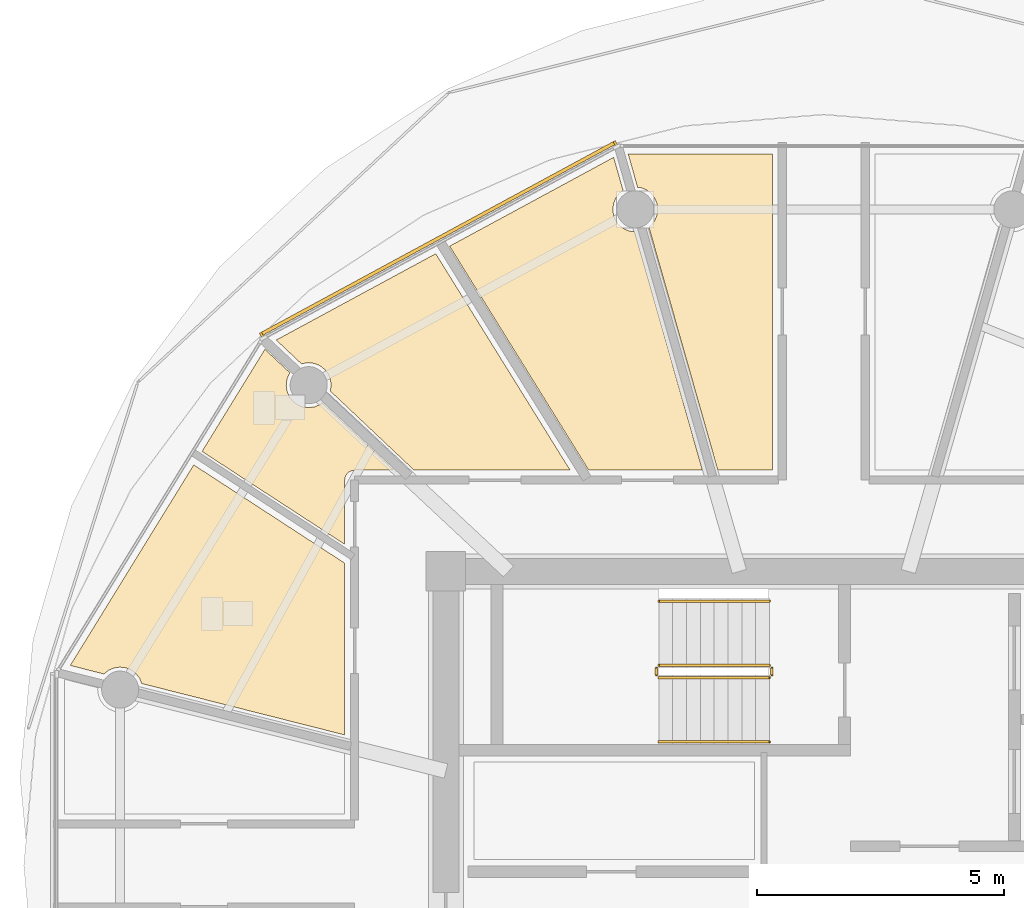
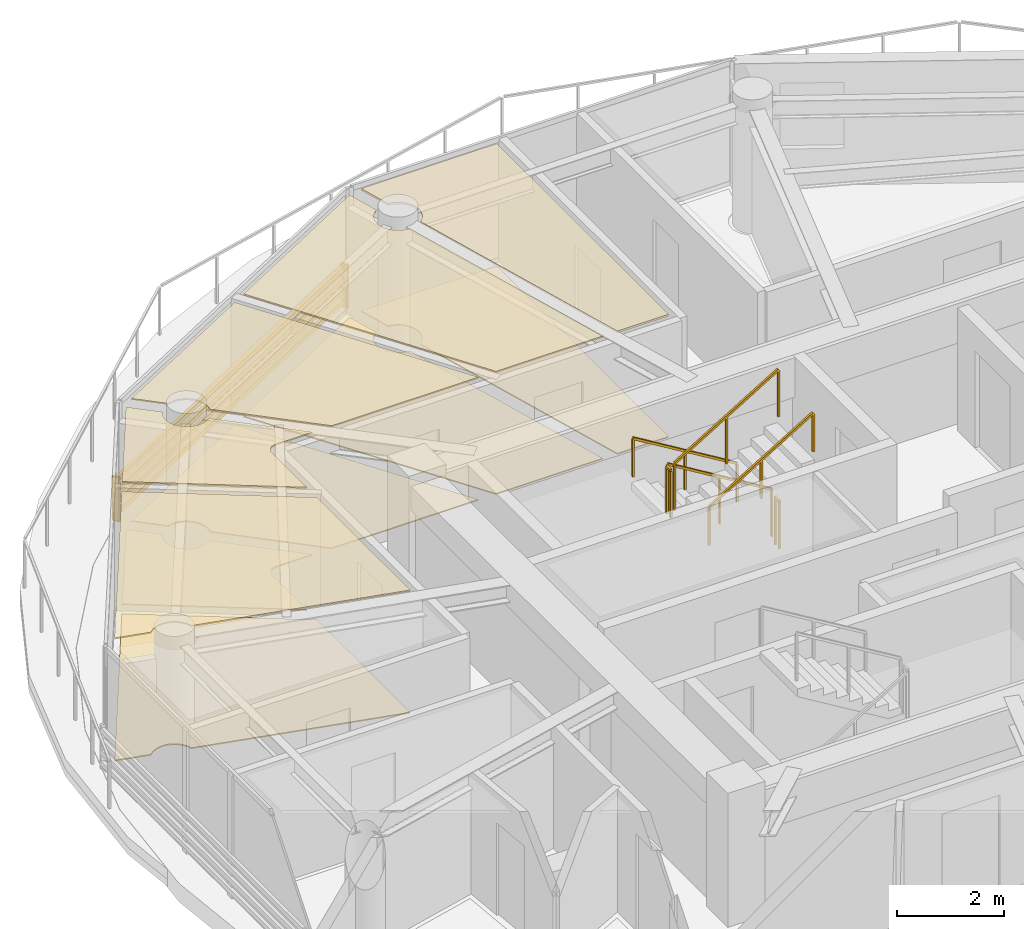
# One storey, part 19 of 28: 10 coverings, 6 railings, 1 shading device.
"""IFC4 building model written with IfcOpenShell, lengths in metres."""

import ifcopenshell
import ifcopenshell.guid

model = None  # the IFC model being written
_history = None  # IfcOwnerHistory: only IFC2X3 demands one
_inside = {}  # id of a spatial element -> (the spatial element, [elements in it])
_under = {}  # id of a project, library or spatial element -> (it, [spatial elements below it])
_declared = {}  # id of a project -> (the project, [libraries it declares])
_typed = {}  # id of a type object -> (the type object, [elements of that type])
_made_of = {}  # id of a material, layer set ... -> (it, [elements and type objects made of it])


def new_model(schema):
    """Start an empty IFC model of exactly this schema.

    Asked for "IFC4X3", IfcOpenShell would pick the latest addendum, in which some entities
    have other attributes; the version numbers below select the first issue.
    IFC2X3 requires an IfcOwnerHistory on every rooted entity: one is made here for all.
    """
    global model, _history
    if schema == "IFC4X3":
        model = ifcopenshell.file(schema_version=(4, 3, 0, 0))
    else:
        model = ifcopenshell.file(schema=schema)
    _inside.clear()
    _under.clear()
    _declared.clear()
    _typed.clear()
    _made_of.clear()
    _history = None
    if model.schema == "IFC2X3":
        org = make("IfcOrganization", Name="unknown")
        user = make(
            "IfcPersonAndOrganization",
            ThePerson=make("IfcPerson", FamilyName="unknown"),
            TheOrganization=org,
        )
        app = make(
            "IfcApplication",
            ApplicationDeveloper=org,
            Version="unknown",
            ApplicationFullName="unknown",
            ApplicationIdentifier="unknown",
        )
        _history = make(
            "IfcOwnerHistory",
            OwningUser=user,
            OwningApplication=app,
            ChangeAction="ADDED",
            CreationDate=0,
        )
    return model


def make(cls, **values):
    """One entity of the class cls with the attributes given. An attribute that is None is left unset."""
    return model.create_entity(
        cls, **{name: value for name, value in values.items() if value is not None}
    )


def rooted(cls, **values):
    """An entity with a GlobalId (a new one), such as an element, a storey or a relation."""
    return make(cls, GlobalId=ifcopenshell.guid.new(), OwnerHistory=_history, **values)


def si_unit(unit_type, name, prefix=None):
    """IfcSIUnit, for example si_unit("LENGTHUNIT", "METRE", prefix="MILLI")."""
    return make("IfcSIUnit", UnitType=unit_type, Prefix=prefix, Name=name)


def assignment(units):
    """IfcUnitAssignment: the units of a project."""
    return None if units is None else make("IfcUnitAssignment", Units=units)


def point(xyz):
    """IfcCartesianPoint."""
    return None if xyz is None else make("IfcCartesianPoint", Coordinates=xyz)


def direction(xyz):
    """IfcDirection."""
    return None if xyz is None else make("IfcDirection", DirectionRatios=xyz)


def frame(location, z_axis=None, x_axis=None):
    """IfcAxis2Placement3D, a coordinate frame: its origin and axes. An axis left out is left unset."""
    return make(
        "IfcAxis2Placement3D",
        Location=point(location),
        Axis=direction(z_axis),
        RefDirection=direction(x_axis),
    )


def frame_2d(location, x_axis=None):
    """IfcAxis2Placement2D, a coordinate frame in the plane: its origin and x axis."""
    return make(
        "IfcAxis2Placement2D", Location=point(location), RefDirection=direction(x_axis)
    )


def origin():
    """The frame at (0, 0, 0) with its axes left unset."""
    return frame((0.0, 0.0, 0.0))


def origin_2d():
    """The frame at (0, 0) in the plane with its x axis left unset."""
    return frame_2d((0.0, 0.0))


def place(relative_to, where):
    """IfcLocalPlacement: puts the frame where relative to a parent placement (None: the world)."""
    return make(
        "IfcLocalPlacement", PlacementRelTo=relative_to, RelativePlacement=where
    )


def context(
    kind, dimensions, precision=None, world=None, true_north=None, identifier=None
):
    """IfcGeometricRepresentationContext, for example the 3D "Model" context."""
    return make(
        "IfcGeometricRepresentationContext",
        ContextIdentifier=identifier,
        ContextType=kind,
        CoordinateSpaceDimension=dimensions,
        Precision=precision,
        WorldCoordinateSystem=world,
        TrueNorth=true_north,
    )


def subcontext(parent, identifier, kind, view, scale=None):
    """IfcGeometricRepresentationSubContext, for example "Body" below "Model"."""
    return make(
        "IfcGeometricRepresentationSubContext",
        ContextIdentifier=identifier,
        ContextType=kind,
        ParentContext=parent,
        TargetScale=scale,
        TargetView=view,
    )


def project(units=None, contexts=None):
    """IfcProject with its units and contexts."""
    return rooted(
        "IfcProject",
        Name="project",
        RepresentationContexts=contexts,
        UnitsInContext=assignment(units),
    )


def spatial(cls, under=None, at=None, **own):
    """A site, building, storey or space (cls), placed at a placement, below another one or the project."""
    s = rooted(cls, ObjectPlacement=at, **own)
    if under is not None:
        _under.setdefault(under.id(), (under, []))[1].append(s)
    return s


def polyline(points):
    """IfcPolyline through the points."""
    return make("IfcPolyline", Points=[point(p) for p in points])


def profile(cls, at=None, kind="AREA", **sizes):
    """A parametric profile (cls). Its sizes go by their IFC names, for example OverallWidth=200.0."""
    return make(cls, ProfileType=kind, Position=at, **sizes)


def rectangle(**sizes):
    """IfcRectangleProfileDef."""
    return profile("IfcRectangleProfileDef", **sizes)


def outline(outer, holes=None, kind="AREA"):
    """IfcArbitraryClosedProfileDef: a profile drawn as a closed curve; with holes, ...WithVoids."""
    if holes is None:
        return make("IfcArbitraryClosedProfileDef", ProfileType=kind, OuterCurve=outer)
    return make(
        "IfcArbitraryProfileDefWithVoids",
        ProfileType=kind,
        OuterCurve=outer,
        InnerCurves=holes,
    )


def extrude(swept, where, along, depth):
    """IfcExtrudedAreaSolid: the profile swept, set in the frame where, extruded along a direction by depth."""
    return make(
        "IfcExtrudedAreaSolid",
        SweptArea=swept,
        Position=where,
        ExtrudedDirection=direction(along),
        Depth=depth,
    )


def shape(context_of_items, identifier, shape_type, items):
    """IfcShapeRepresentation: the items that make up one representation, for example the "Body"."""
    return make(
        "IfcShapeRepresentation",
        ContextOfItems=context_of_items,
        RepresentationIdentifier=identifier,
        RepresentationType=shape_type,
        Items=items,
    )


def source(mapping_origin, context_of_items, identifier, shape_type, items):
    """IfcRepresentationMap: a shape defined once, which mapped items show again and again."""
    return make(
        "IfcRepresentationMap",
        MappingOrigin=mapping_origin,
        MappedRepresentation=shape(context_of_items, identifier, shape_type, items),
    )


def transform(
    local_origin,
    x_axis=None,
    y_axis=None,
    z_axis=None,
    scale=None,
    scale2=None,
    scale3=None,
    uniform=True,
):
    """IfcCartesianTransformationOperator3D, or its non-uniform kind. x_axis, y_axis, z_axis: its Axis1, 2, 3."""
    if uniform:
        return make(
            "IfcCartesianTransformationOperator3D",
            Axis1=direction(x_axis),
            Axis2=direction(y_axis),
            LocalOrigin=point(local_origin),
            Scale=scale,
            Axis3=direction(z_axis),
        )
    return make(
        "IfcCartesianTransformationOperator3DnonUniform",
        Axis1=direction(x_axis),
        Axis2=direction(y_axis),
        LocalOrigin=point(local_origin),
        Scale=scale,
        Axis3=direction(z_axis),
        Scale2=scale2,
        Scale3=scale3,
    )


def mapped(mapping_source, mapping_target):
    """IfcMappedItem: shows the shape of a source again, moved by a transform."""
    return make(
        "IfcMappedItem", MappingSource=mapping_source, MappingTarget=mapping_target
    )


def material(Name=None, Category=None):
    """IfcMaterial."""
    return make("IfcMaterial", Name=Name, Category=Category)


def layer(
    of_material, thickness, ventilated=None, Name=None, Category=None, Priority=None
):
    """IfcMaterialLayer: one layer of a wall or slab, of a material (None: an air gap)."""
    return make(
        "IfcMaterialLayer",
        Material=of_material,
        LayerThickness=thickness,
        IsVentilated=ventilated,
        Name=Name,
        Category=Category,
        Priority=Priority,
    )


def layer_set(layers, Name=None):
    """IfcMaterialLayerSet."""
    return make("IfcMaterialLayerSet", MaterialLayers=layers, LayerSetName=Name)


def made_of(thing, what):
    """Note that an element or type object is made of a material, layer set ...; save() writes the relation."""
    if what is not None:
        _made_of.setdefault(what.id(), (what, []))[1].append(thing)
    return thing


def type_object(cls, material=None, **own):
    """A type object (cls), such as IfcWallType, which elements share."""
    return made_of(rooted(cls, **own), material)


def type_shapes(of_type, sources):
    """Give a type object the sources (RepresentationMaps) that its elements show as mapped items."""
    of_type.RepresentationMaps = sources


def element(
    cls,
    number,
    at=None,
    inside=None,
    cuts=None,
    type_object=None,
    material=None,
    context=None,
    identifier="Body",
    shape_type=None,
    held_by="IfcProductDefinitionShape",
    body=None,
    shapes=None,
    **own,
):
    """One element of the class cls, such as IfcWall. Its Tag is "e" and its number.

    at: its placement. inside: the storey or other place that contains it. cuts: it is an
    opening in that element (IfcRelVoidsElement). A single representation is given by context,
    identifier, shape_type and body (its items); several are given by shapes. held_by: the class
    of the entity that holds the representations. save() writes the other relations.
    """
    e = rooted(cls, Tag="e%d" % number, ObjectPlacement=at, **own)
    if body is not None:
        shapes = [shape(context, identifier, shape_type, body)]
    if shapes is not None:
        e.Representation = make(held_by, Representations=shapes)
    if inside is not None:
        _inside.setdefault(inside.id(), (inside, []))[1].append(e)
    if cuts is not None:
        rooted(
            "IfcRelVoidsElement", RelatingBuildingElement=cuts, RelatedOpeningElement=e
        )
    if type_object is not None:
        _typed.setdefault(type_object.id(), (type_object, []))[1].append(e)
    return made_of(e, material)


def aggregate(whole, parts):
    """IfcRelAggregates: a whole, such as a stair, and the parts it consists of."""
    return rooted("IfcRelAggregates", RelatingObject=whole, RelatedObjects=parts)


def save(model, path):
    """Write the relations noted so far, then the file.

    IfcRelAggregates (storeys below a building ...), IfcRelContainedInSpatialStructure (elements
    in a storey), IfcRelDefinesByType, IfcRelAssociatesMaterial and IfcRelDeclares: one each for
    every whole, place, type object, material and project.
    """
    for whole, parts in _under.values():
        aggregate(whole, parts)
    for where, things in _inside.values():
        rooted(
            "IfcRelContainedInSpatialStructure",
            RelatedElements=things,
            RelatingStructure=where,
        )
    for kind, things in _typed.values():
        rooted("IfcRelDefinesByType", RelatedObjects=things, RelatingType=kind)
    for what, things in _made_of.values():
        rooted("IfcRelAssociatesMaterial", RelatedObjects=things, RelatingMaterial=what)
    for by, libraries in _declared.values():
        rooted("IfcRelDeclares", RelatingContext=by, RelatedDefinitions=libraries)
    model.write(path)


model = new_model("IFC4")

# Units and contexts
model_context = context("Model", 3, precision=1e-05, world=origin(), true_north=direction((0.0, 1.0)))
body_context = subcontext(model_context, "Body", "Model", "MODEL_VIEW")
ifc_project = project(units=[si_unit("LENGTHUNIT", "METRE"), si_unit("AREAUNIT", "SQUARE_METRE"), si_unit("VOLUMEUNIT", "CUBIC_METRE"), si_unit("PLANEANGLEUNIT", "RADIAN"), si_unit("MASSUNIT", "GRAM", prefix="KILO")], contexts=[model_context])

# Site, building, storey
site_placement = place(None, origin())
site = spatial("IfcSite", under=ifc_project, at=site_placement, CompositionType="ELEMENT")
building_placement = place(site_placement, origin())
building = spatial("IfcBuilding", under=site, at=building_placement, Name="Norrkilde Senior Care Towers", CompositionType="ELEMENT")
storey_placement = place(building_placement, frame((0.0, 0.0, 190.64990234375)))
storey = spatial("IfcBuildingStorey", under=building, at=storey_placement, Name="L59", CompositionType="ELEMENT", Elevation=190.64990234375)

# Coverings
ifc_material_1 = material(Name="Nordic Ash Timber", Category="wood")
ifc_layer_1 = layer(ifc_material_1, 0.044921875)
ifc_layer_set_1 = layer_set([ifc_layer_1], Name="Nordic Ash Timber")
covering_type_1 = type_object("IfcCoveringType", Name="Acoustic Ash Timber Slatted Ceiling 45", PredefinedType="CEILING", material=ifc_layer_set_1)
covering_1_placement = place(storey_placement, frame((0.0, 0.0, 2.76513671875)))
element("IfcCovering", 1, at=covering_1_placement, inside=storey, type_object=covering_type_1, Name="L59 Suspended Ceiling 0337", PredefinedType="CEILING", context=body_context, shape_type="SweptSolid", body=[
    extrude(outline(polyline([(-29.0400390625, 14.407470703125), (-29.0400390625, 8.0), (-30.144775390625, 8.0), (-31.541748046875, 12.924560546875), (-31.495849609375, 12.959716796875), (-31.423583984375, 13.053955078125), (-31.378173828125, 13.163818359375), (-31.362548828125, 13.281494140625), (-31.378173828125, 13.399169921875), (-31.423583984375, 13.509033203125), (-31.495849609375, 13.603271484375), (-31.590087890625, 13.675537109375), (-31.69970703125, 13.720947265625), (-31.770263671875, 13.730224609375), (-31.96240234375, 14.407470703125), (-29.0400390625, 14.407470703125)])), origin(), (0.0, 0.0, 1.0), 0.044921875),
])
ifc_material_2 = material(Name="Gypsum Acoustic Board")
ifc_layer_2 = layer(ifc_material_2, 0.030029296875)
ifc_layer_set_2 = layer_set([ifc_layer_2], Name="Gypsum Acoustic Board")
covering_type_2 = type_object("IfcCoveringType", Name="Medical Cleanable Gypsum Ceiling 30", PredefinedType="CEILING", material=ifc_layer_set_2)
covering_2_placement = place(storey_placement, frame((0.0, 0.0, 2.780029296875)))
element("IfcCovering", 2, at=covering_2_placement, inside=storey, type_object=covering_type_2, Name="L59 Suspended Ceiling 0343", PredefinedType="CEILING", context=body_context, shape_type="SweptSolid", body=[
    extrude(outline(polyline([(-32.062744140625, 13.662109375), (-32.139404296875, 13.603271484375), (-32.211669921875, 13.509033203125), (-32.257080078125, 13.399169921875), (-32.2724609375, 13.281494140625), (-32.257080078125, 13.163818359375), (-32.211669921875, 13.053955078125), (-32.139404296875, 12.959716796875), (-32.045166015625, 12.887451171875), (-31.935302734375, 12.842041015625), (-31.825927734375, 12.82763671875), (-30.45654296875, 8.0), (-32.75830078125, 8.0), (-35.575927734375, 12.537109375), (-32.253662109375, 14.335693359375), (-32.062744140625, 13.662109375)])), origin(), (0.0, 0.0, 1.0), 0.030029296875),
])
covering_3_placement = place(storey_placement, frame((0.0, 0.0, 2.780029296875)))
element("IfcCovering", 3, at=covering_3_placement, inside=storey, type_object=covering_type_2, Name="L59 Suspended Ceiling 0344", PredefinedType="CEILING", context=body_context, shape_type="SweptSolid", body=[
    extrude(outline(polyline([(-36.294677734375, 8.0), (-37.9912109375, 9.6025390625), (-37.990234375, 9.60498046875), (-37.974853515625, 9.72265625), (-37.990234375, 9.840576171875), (-38.035888671875, 9.9501953125), (-38.108154296875, 10.04443359375), (-38.202392578125, 10.11669921875), (-38.31201171875, 10.162109375), (-38.429931640625, 10.177734375), (-38.547607421875, 10.162109375), (-38.57275390625, 10.15185546875), (-39.08642578125, 10.636962890625), (-35.85791015625, 12.384521484375), (-33.135009765625, 8.0), (-36.294677734375, 8.0)])), origin(), (0.0, 0.0, 1.0), 0.030029296875),
])
covering_4_placement = place(storey_placement, frame((0.0, 0.0, 2.780029296875)))
element("IfcCovering", 4, at=covering_4_placement, inside=storey, type_object=covering_type_2, Name="L59 Suspended Ceiling 0345", PredefinedType="CEILING", context=body_context, shape_type="SweptSolid", body=[
    extrude(outline(polyline([(-37.525390625, 7.998291015625), (-37.533203125, 7.9970703125), (-37.544677734375, 7.994873046875), (-37.552490234375, 7.992919921875), (-37.563720703125, 7.989501953125), (-37.571044921875, 7.98681640625), (-37.58203125, 7.982421875), (-37.589111328125, 7.97900390625), (-37.599365234375, 7.973388671875), (-37.606201171875, 7.969482421875), (-37.615966796875, 7.962890625), (-37.622314453125, 7.958251953125), (-37.63134765625, 7.95068359375), (-37.63720703125, 7.945556640625), (-37.6455078125, 7.937255859375), (-37.65087890625, 7.931396484375), (-37.658203125, 7.92236328125), (-37.662841796875, 7.916015625), (-37.66943359375, 7.90625), (-37.673583984375, 7.8994140625), (-37.678955078125, 7.888916015625), (-37.682373046875, 7.8818359375), (-37.68701171875, 7.87109375), (-37.689453125, 7.86376953125), (-37.69287109375, 7.852294921875), (-37.69482421875, 7.8447265625), (-37.697265625, 7.833251953125), (-37.6982421875, 7.825439453125), (-37.699462890625, 7.813720703125), (-37.699951171875, 7.805908203125), (-37.699951171875, 7.800048828125), (-37.699951171875, 6.499755859375), (-40.5888671875, 8.380859375), (-39.31591796875, 10.448486328125), (-38.807373046875, 9.9716796875), (-38.823974609375, 9.9501953125), (-38.869384765625, 9.840576171875), (-38.884765625, 9.72265625), (-38.869384765625, 9.60498046875), (-38.823974609375, 9.4951171875), (-38.75146484375, 9.40087890625), (-38.6572265625, 9.32861328125), (-38.547607421875, 9.283203125), (-38.429931640625, 9.267822265625), (-38.31201171875, 9.283203125), (-38.202392578125, 9.32861328125), (-38.158203125, 9.362548828125), (-36.705322265625, 8.0), (-37.5, 8.0), (-37.505859375, 7.999755859375), (-37.513671875, 7.99951171875), (-37.525390625, 7.998291015625)])), origin(), (0.0, 0.0, 1.0), 0.030029296875),
])
covering_5_placement = place(storey_placement, frame((0.0, 0.0, 2.780029296875)))
element("IfcCovering", 5, at=covering_5_placement, inside=storey, type_object=covering_type_2, Name="L59 Suspended Ceiling 0346", PredefinedType="CEILING", context=body_context, shape_type="SweptSolid", body=[
    extrude(outline(polyline([(-40.7568359375, 8.108154296875), (-37.699951171875, 6.117919921875), (-37.699951171875, 2.640625), (-41.809814453125, 3.680908203125), (-41.853271484375, 3.786376953125), (-41.92578125, 3.880615234375), (-42.02001953125, 3.952880859375), (-42.129638671875, 3.998291015625), (-42.247314453125, 4.013671875), (-42.365234375, 3.998291015625), (-42.474853515625, 3.952880859375), (-42.569091796875, 3.880615234375), (-42.573974609375, 3.874267578125), (-43.25732421875, 4.04736328125), (-40.7568359375, 8.108154296875)])), origin(), (0.0, 0.0, 1.0), 0.030029296875),
])
ifc_material_3 = material(Name="Slip-Resistant Porcelain Stone", Category="masonry")
ifc_layer_3 = layer(ifc_material_3, 0.02490234375)
ifc_layer_set_3 = layer_set([ifc_layer_3], Name="Slip-Resistant Porcelain Stone")
covering_type_3 = type_object("IfcCoveringType", Name="Slip-Resistant Porcelain Flooring 25", PredefinedType="FLOORING", material=ifc_layer_set_3)
covering_6_placement = place(storey_placement, origin())
element("IfcCovering", 6, at=covering_6_placement, inside=storey, type_object=covering_type_3, Name="L59 Floor Finish 0337", PredefinedType="FLOORING", context=body_context, shape_type="SweptSolid", body=[
    extrude(outline(polyline([(-29.0400390625, 14.407470703125), (-29.0400390625, 8.0), (-30.144775390625, 8.0), (-31.541748046875, 12.924560546875), (-31.495849609375, 12.959716796875), (-31.423583984375, 13.053955078125), (-31.378173828125, 13.163818359375), (-31.362548828125, 13.281494140625), (-31.378173828125, 13.399169921875), (-31.423583984375, 13.509033203125), (-31.495849609375, 13.603271484375), (-31.590087890625, 13.675537109375), (-31.69970703125, 13.720947265625), (-31.770263671875, 13.730224609375), (-31.96240234375, 14.407470703125), (-29.0400390625, 14.407470703125)])), origin(), (0.0, 0.0, 1.0), 0.025146484375),
])
covering_7_placement = place(storey_placement, origin())
element("IfcCovering", 7, at=covering_7_placement, inside=storey, type_object=covering_type_3, Name="L59 Floor Finish 0343", PredefinedType="FLOORING", context=body_context, shape_type="SweptSolid", body=[
    extrude(outline(polyline([(-32.062744140625, 13.662109375), (-32.139404296875, 13.603271484375), (-32.211669921875, 13.509033203125), (-32.257080078125, 13.399169921875), (-32.2724609375, 13.281494140625), (-32.257080078125, 13.163818359375), (-32.211669921875, 13.053955078125), (-32.139404296875, 12.959716796875), (-32.045166015625, 12.887451171875), (-31.935302734375, 12.842041015625), (-31.825927734375, 12.82763671875), (-30.45654296875, 8.0), (-32.75830078125, 8.0), (-35.575927734375, 12.537109375), (-32.253662109375, 14.335693359375), (-32.062744140625, 13.662109375)])), origin(), (0.0, 0.0, 1.0), 0.025146484375),
])
covering_8_placement = place(storey_placement, origin())
element("IfcCovering", 8, at=covering_8_placement, inside=storey, type_object=covering_type_3, Name="L59 Floor Finish 0344", PredefinedType="FLOORING", context=body_context, shape_type="SweptSolid", body=[
    extrude(outline(polyline([(-36.294677734375, 8.0), (-37.9912109375, 9.6025390625), (-37.990234375, 9.60498046875), (-37.974853515625, 9.72265625), (-37.990234375, 9.840576171875), (-38.035888671875, 9.9501953125), (-38.108154296875, 10.04443359375), (-38.202392578125, 10.11669921875), (-38.31201171875, 10.162109375), (-38.429931640625, 10.177734375), (-38.547607421875, 10.162109375), (-38.57275390625, 10.15185546875), (-39.08642578125, 10.636962890625), (-35.85791015625, 12.384521484375), (-33.135009765625, 8.0), (-36.294677734375, 8.0)])), origin(), (0.0, 0.0, 1.0), 0.025146484375),
])
covering_9_placement = place(storey_placement, origin())
element("IfcCovering", 9, at=covering_9_placement, inside=storey, type_object=covering_type_3, Name="L59 Floor Finish 0345", PredefinedType="FLOORING", context=body_context, shape_type="SweptSolid", body=[
    extrude(outline(polyline([(-37.525390625, 7.998291015625), (-37.533203125, 7.9970703125), (-37.544677734375, 7.994873046875), (-37.552490234375, 7.992919921875), (-37.563720703125, 7.989501953125), (-37.571044921875, 7.98681640625), (-37.58203125, 7.982421875), (-37.589111328125, 7.97900390625), (-37.599365234375, 7.973388671875), (-37.606201171875, 7.969482421875), (-37.615966796875, 7.962890625), (-37.622314453125, 7.958251953125), (-37.63134765625, 7.95068359375), (-37.63720703125, 7.945556640625), (-37.6455078125, 7.937255859375), (-37.65087890625, 7.931396484375), (-37.658203125, 7.92236328125), (-37.662841796875, 7.916015625), (-37.66943359375, 7.90625), (-37.673583984375, 7.8994140625), (-37.678955078125, 7.888916015625), (-37.682373046875, 7.8818359375), (-37.68701171875, 7.87109375), (-37.689453125, 7.86376953125), (-37.69287109375, 7.852294921875), (-37.69482421875, 7.8447265625), (-37.697265625, 7.833251953125), (-37.6982421875, 7.825439453125), (-37.699462890625, 7.813720703125), (-37.699951171875, 7.805908203125), (-37.699951171875, 7.800048828125), (-37.699951171875, 6.499755859375), (-40.5888671875, 8.380859375), (-39.31591796875, 10.448486328125), (-38.807373046875, 9.9716796875), (-38.823974609375, 9.9501953125), (-38.869384765625, 9.840576171875), (-38.884765625, 9.72265625), (-38.869384765625, 9.60498046875), (-38.823974609375, 9.4951171875), (-38.75146484375, 9.40087890625), (-38.6572265625, 9.32861328125), (-38.547607421875, 9.283203125), (-38.429931640625, 9.267822265625), (-38.31201171875, 9.283203125), (-38.202392578125, 9.32861328125), (-38.158203125, 9.362548828125), (-36.705322265625, 8.0), (-37.5, 8.0), (-37.505859375, 7.999755859375), (-37.513671875, 7.99951171875), (-37.525390625, 7.998291015625)])), origin(), (0.0, 0.0, 1.0), 0.025146484375),
])
covering_10_placement = place(storey_placement, origin())
element("IfcCovering", 10, at=covering_10_placement, inside=storey, type_object=covering_type_3, Name="L59 Floor Finish 0346", PredefinedType="FLOORING", context=body_context, shape_type="SweptSolid", body=[
    extrude(outline(polyline([(-40.7568359375, 8.108154296875), (-37.699951171875, 6.117919921875), (-37.699951171875, 2.640625), (-41.809814453125, 3.680908203125), (-41.853271484375, 3.786376953125), (-41.92578125, 3.880615234375), (-42.02001953125, 3.952880859375), (-42.129638671875, 3.998291015625), (-42.247314453125, 4.013671875), (-42.365234375, 3.998291015625), (-42.474853515625, 3.952880859375), (-42.569091796875, 3.880615234375), (-42.573974609375, 3.874267578125), (-43.25732421875, 4.04736328125), (-40.7568359375, 8.108154296875)])), origin(), (0.0, 0.0, 1.0), 0.025146484375),
])

# Railings
ifc_material_4 = material(Name="Stainless Steel", Category="steel")
railing_type_1 = type_object("IfcRailingType", Name="Stair and Terrace Guardrail 1100", PredefinedType="GUARDRAIL", material=ifc_material_4)
railing_1_placement = place(storey_placement, frame((-29.10009765625, 4.050048828125, 0.16943359375)))
element("IfcRailing", 11, at=railing_1_placement, inside=storey, type_object=railing_type_1, Name="L59 ST-W1 stair guard 1", PredefinedType="GUARDRAIL", context=body_context, shape_type="SweptSolid", body=[
    extrude(rectangle(XDim=0.048095703125, YDim=0.048095703125, at=origin_2d()), frame((0.0, 0.0, 1.076171875), z_axis=(-0.855512035549, 0.0, 0.517782924622), x_axis=(0.0, -1.0, 0.0)), (0.0, 0.0, 1.0), 2.618408203125),
    extrude(rectangle(XDim=0.0419921875, YDim=0.0419921875, at=origin_2d()), origin(), (0.0, 0.0, 1.0), 1.050048828125),
    extrude(rectangle(XDim=0.0419921875, YDim=0.0419921875, at=origin_2d()), frame((-1.1201171875, 0.0, 0.677734375)), (0.0, 0.0, 1.0), 1.050048828125),
    extrude(rectangle(XDim=0.0419921875, YDim=0.0419921875, at=origin_2d()), frame((-2.239990234375, 0.0, 1.355712890625)), (0.0, 0.0, 1.0), 1.050048828125),
])
railing_2_placement = place(storey_placement, frame((-31.389892578125, 4.0, 1.525146484375)))
element("IfcRailing", 12, at=railing_2_placement, inside=storey, type_object=railing_type_1, Name="L59 ST-W1 stair guard 2", PredefinedType="GUARDRAIL", context=body_context, shape_type="SweptSolid", body=[
    extrude(rectangle(XDim=0.048095703125, YDim=0.048095703125, at=origin_2d()), frame((0.0, 0.0, 1.076171875), z_axis=(0.0, -1.0, 0.0), x_axis=(1.0, 0.0, 0.0)), (0.0, 0.0, 1.0), 0.14990234375),
    extrude(rectangle(XDim=0.0419921875, YDim=0.0419921875, at=origin_2d()), origin(), (0.0, 0.0, 1.0), 1.050048828125),
    extrude(rectangle(XDim=0.0419921875, YDim=0.0419921875, at=origin_2d()), frame((0.0, -0.14990234375, 0.0)), (0.0, 0.0, 1.0), 1.050048828125),
])
railing_3_placement = place(storey_placement, frame((-31.340087890625, 3.800048828125, 1.694580078125)))
element("IfcRailing", 13, at=railing_3_placement, inside=storey, type_object=railing_type_1, Name="L59 ST-W1 stair guard 3", PredefinedType="GUARDRAIL", context=body_context, shape_type="SweptSolid", body=[
    extrude(rectangle(XDim=0.048095703125, YDim=0.048095703125, at=origin_2d()), frame((0.0, 0.0, 1.076171875), z_axis=(0.855553338991, 0.0, 0.51771467445), x_axis=(0.0, 1.0, 0.0)), (0.0, 0.0, 1.0), 2.6181640625),
    extrude(rectangle(XDim=0.0419921875, YDim=0.0419921875, at=origin_2d()), origin(), (0.0, 0.0, 1.0), 1.050048828125),
    extrude(rectangle(XDim=0.0419921875, YDim=0.0419921875, at=origin_2d()), frame((1.1201171875, 0.0, 0.677734375)), (0.0, 0.0, 1.0), 1.050048828125),
    extrude(rectangle(XDim=0.0419921875, YDim=0.0419921875, at=origin_2d()), frame((2.239990234375, 0.0, 1.35546875)), (0.0, 0.0, 1.0), 1.050048828125),
])
railing_4_placement = place(storey_placement, frame((-29.050048828125, 4.0, 0.0)))
element("IfcRailing", 14, at=railing_4_placement, inside=storey, type_object=railing_type_1, Name="L59 ST-W1 stair guard 4", PredefinedType="GUARDRAIL", context=body_context, shape_type="SweptSolid", body=[
    extrude(rectangle(XDim=0.048095703125, YDim=0.048095703125, at=origin_2d()), frame((0.0, 0.0, 1.076171875), z_axis=(0.0, -1.0, 0.0), x_axis=(1.0, 0.0, 0.0)), (0.0, 0.0, 1.0), 0.14990234375),
    extrude(rectangle(XDim=0.0419921875, YDim=0.0419921875, at=origin_2d()), origin(), (0.0, 0.0, 1.0), 1.050048828125),
    extrude(rectangle(XDim=0.0419921875, YDim=0.0419921875, at=origin_2d()), frame((0.0, -0.14990234375, 0.0)), (0.0, 0.0, 1.0), 1.050048828125),
])
railing_type_2 = type_object("IfcRailingType", Name="Wall and Stair Handrail 900", PredefinedType="HANDRAIL", material=ifc_material_1)
railing_5_placement = place(storey_placement, frame((-29.10009765625, 5.35009765625, 0.16943359375)))
element("IfcRailing", 15, at=railing_5_placement, inside=storey, type_object=railing_type_2, Name="L59 ST-W1 stair handrail 1", PredefinedType="HANDRAIL", context=body_context, shape_type="SweptSolid", body=[
    extrude(rectangle(XDim=0.048095703125, YDim=0.048095703125, at=origin_2d()), frame((0.0, 0.0, 0.8759765625), z_axis=(-0.855512035549, 0.0, 0.517782924622), x_axis=(0.0, -1.0, 0.0)), (0.0, 0.0, 1.0), 2.618408203125),
    extrude(rectangle(XDim=0.0419921875, YDim=0.0419921875, at=origin_2d()), origin(), (0.0, 0.0, 1.0), 0.849853515625),
    extrude(rectangle(XDim=0.0419921875, YDim=0.0419921875, at=origin_2d()), frame((-1.1201171875, 0.0, 0.677734375)), (0.0, 0.0, 1.0), 0.849853515625),
    extrude(rectangle(XDim=0.0419921875, YDim=0.0419921875, at=origin_2d()), frame((-2.239990234375, 0.0, 1.355712890625)), (0.0, 0.0, 1.0), 0.849853515625),
])
railing_6_placement = place(storey_placement, frame((-31.340087890625, 2.5, 1.694580078125)))
element("IfcRailing", 16, at=railing_6_placement, inside=storey, type_object=railing_type_2, Name="L59 ST-W1 stair handrail 2", PredefinedType="HANDRAIL", context=body_context, shape_type="SweptSolid", body=[
    extrude(rectangle(XDim=0.048095703125, YDim=0.048095703125, at=origin_2d()), frame((0.0, 0.0, 0.8759765625), z_axis=(0.855553338991, 0.0, 0.51771467445), x_axis=(0.0, 1.0, 0.0)), (0.0, 0.0, 1.0), 2.6181640625),
    extrude(rectangle(XDim=0.0419921875, YDim=0.0419921875, at=origin_2d()), origin(), (0.0, 0.0, 1.0), 0.849853515625),
    extrude(rectangle(XDim=0.0419921875, YDim=0.0419921875, at=origin_2d()), frame((1.1201171875, 0.0, 0.677734375)), (0.0, 0.0, 1.0), 0.849853515625),
    extrude(rectangle(XDim=0.0419921875, YDim=0.0419921875, at=origin_2d()), frame((2.239990234375, 0.0, 1.35546875)), (0.0, 0.0, 1.0), 0.849853515625),
])

# Shading device
ifc_material_5 = material(Name="Architectural Terracotta", Category="masonry")
shading_device_type = type_object("IfcShadingDeviceType", Name="Horizontal Terracotta Baguette Rack", PredefinedType="USERDEFINED", material=ifc_material_5)
shared_shape = source(origin(), body_context, "Body", "SweptSolid", [
    extrude(rectangle(XDim=0.070068359375, YDim=0.110107421875, at=origin_2d()), frame((0.0, 0.090087890625, 0.125), z_axis=(1.0, 0.0, 0.0), x_axis=(0.0, 1.0, 0.0)), (0.0, 0.0, 1.0), 8.197265625),
    extrude(rectangle(XDim=0.070068359375, YDim=0.110107421875, at=origin_2d()), frame((0.0, 0.090087890625, 0.375), z_axis=(1.0, 0.0, 0.0), x_axis=(0.0, 1.0, 0.0)), (0.0, 0.0, 1.0), 8.197265625),
    extrude(rectangle(XDim=0.070068359375, YDim=0.110107421875, at=origin_2d()), frame((0.0, 0.090087890625, 0.625), z_axis=(1.0, 0.0, 0.0), x_axis=(0.0, 1.0, 0.0)), (0.0, 0.0, 1.0), 8.197265625),
    extrude(rectangle(XDim=0.070068359375, YDim=0.110107421875, at=origin_2d()), frame((0.0, 0.090087890625, 0.875), z_axis=(1.0, 0.0, 0.0), x_axis=(0.0, 1.0, 0.0)), (0.0, 0.0, 1.0), 8.197265625),
    extrude(rectangle(XDim=0.050048828125, YDim=0.1552734375, at=origin_2d()), frame((0.02490234375, 0.047607421875, 0.0)), (0.0, 0.0, 1.0), 1.0),
    extrude(rectangle(XDim=0.050048828125, YDim=0.1552734375, at=origin_2d()), frame((8.17236328125, 0.047607421875, 0.0)), (0.0, 0.0, 1.0), 1.0),
])
type_shapes(shading_device_type, [shared_shape])
shading_device_placement = place(storey_placement, frame((-39.370361328125, 10.6630859375, 0.080078125), z_axis=(0.0, 0.0, 1.0), x_axis=(0.879378127234, 0.476143674053, 0.0)))
element("IfcShadingDevice", 17, at=shading_device_placement, inside=storey, type_object=shading_device_type, Name="L59 Drum W Terracotta Baguette Screen 03", ObjectType="BAGUETTE", PredefinedType="USERDEFINED", context=body_context, shape_type="MappedRepresentation", body=[
    mapped(shared_shape, transform((0.0, 0.0, 0.0), x_axis=(1.0, 0.0, 0.0), y_axis=(0.0, 1.0, 0.0), z_axis=(0.0, 0.0, 1.0), scale=1.0)),
])

save(model, "model.ifc")
